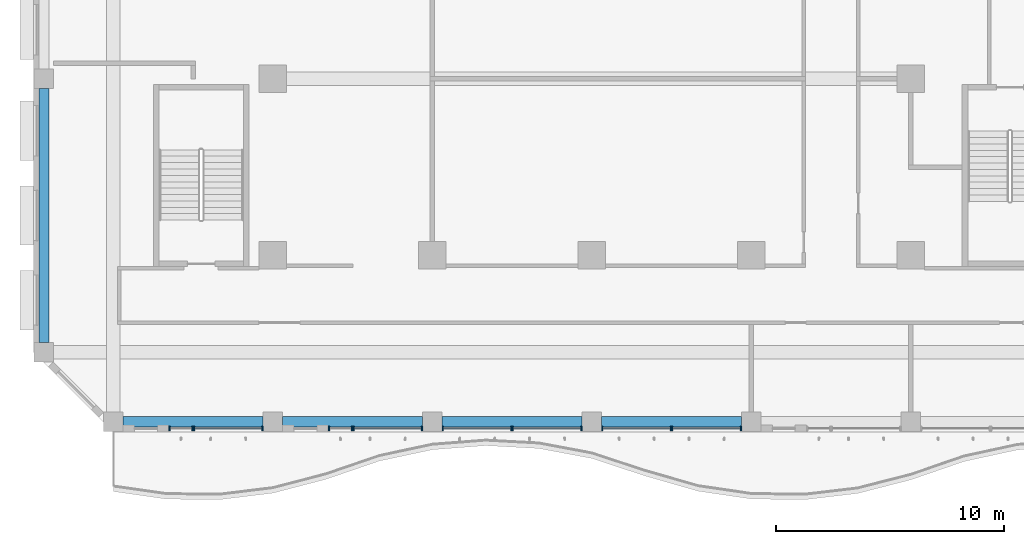
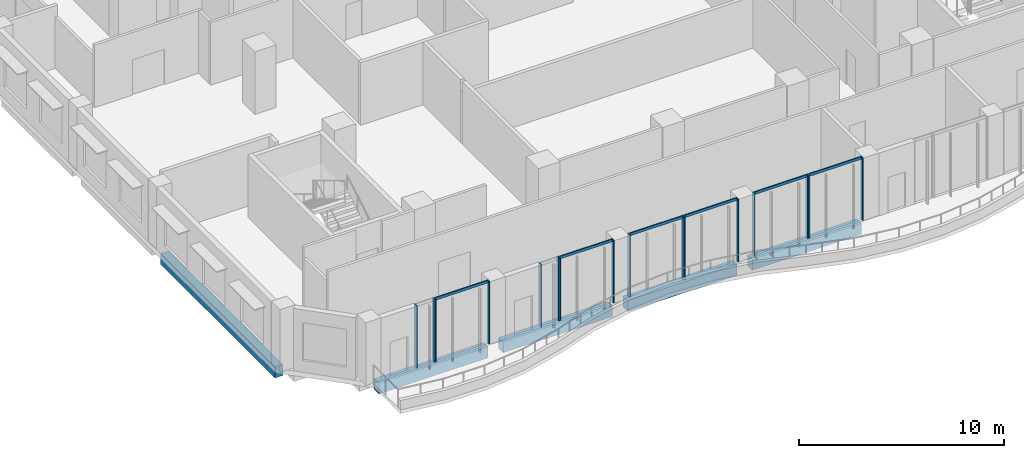
# One storey, part 2 of 26: 22 members, 5 beams, 8 elements without a shape of their own.
"""IFC4 building model written with IfcOpenShell, lengths in metres."""

from ifc_helpers import new_model, si_unit, direction, frame, origin, origin_2d, place, context, subcontext, project, spatial, rectangle, extrude, source, transform, mapped, material, material_profile, profile_set, type_object, element, aggregate, save


model = new_model("IFC4")

# Units and contexts
model_context = context("Model", 3, precision=1e-05, world=origin(), true_north=direction((0.0, 1.0)))
body_context = subcontext(model_context, "Body", "Model", "MODEL_VIEW")
ifc_project = project(units=[si_unit("LENGTHUNIT", "METRE"), si_unit("AREAUNIT", "SQUARE_METRE"), si_unit("VOLUMEUNIT", "CUBIC_METRE"), si_unit("PLANEANGLEUNIT", "RADIAN"), si_unit("MASSUNIT", "GRAM", prefix="KILO")], contexts=[model_context])

# Site, building, storey
site_placement = place(None, origin())
site = spatial("IfcSite", under=ifc_project, at=site_placement, CompositionType="ELEMENT")
building_placement = place(site_placement, origin())
building = spatial("IfcBuilding", under=site, at=building_placement, Name="Kilnfold Tower and Market Hall", CompositionType="ELEMENT")
storey_placement = place(building_placement, frame((0.0, 0.0, 108.60009765625)))
storey = spatial("IfcBuildingStorey", under=building, at=storey_placement, Name="L25", CompositionType="ELEMENT", Elevation=108.60009765625)

# Beams
ifc_material_1 = material(Name="Concrete C45", Category="concrete")
ifc_material_profile_1 = material_profile(ifc_material_1, rectangle(XDim=0.449951171875, YDim=0.64990234375, at=origin_2d()), Name="RC 450x650")
ifc_profile_set_1 = profile_set([ifc_material_profile_1], Name="Concrete C45")
beam_type = type_object("IfcBeamType", Name="EDGE BEAM 450X650 C45", PredefinedType="BEAM", material=ifc_profile_set_1)
shared_shape_1 = source(origin(), body_context, "Body", "SweptSolid", [
    extrude(rectangle(XDim=0.449951171875, YDim=0.64990234375, at=origin_2d()), origin(), (0.0, 0.0, 1.0), 6.14990234375),
])
for number, where, z_axis, x_axis, name in (
    (1, (-19.074951171875, -22.550048828125, -0.60498046875), (1.0, 0.0, 0.0), (0.0, 1.0, 0.0), "Beam EB650-B3.52"),
    (2, (-12.074951171875, -22.550048828125, -0.60498046875), (1.0, 0.0, 0.0), (0.0, 1.0, 0.0), "Beam EB650-B3.53"),
    (3, (-5.074951171875, -22.550048828125, -0.60498046875), (1.0, 0.0, 0.0), (0.0, 1.0, 0.0), "Beam EB650-B3.54"),
    (4, (1.925048828125, -22.550048828125, -0.60498046875), (1.0, 0.0, 0.0), (0.0, 1.0, 0.0), "Beam EB650-B3.55"),
):
    element("IfcBeam", number, at=place(storey_placement, frame(where, z_axis=z_axis, x_axis=x_axis)), inside=storey, type_object=beam_type, Name=name, PredefinedType="BEAM", context=body_context, shape_type="MappedRepresentation", body=[
        mapped(shared_shape_1, transform((0.0, 0.0, 0.0))),
    ])
shared_shape_2 = source(origin(), body_context, "Body", "SweptSolid", [
    extrude(rectangle(XDim=0.449951171875, YDim=0.64990234375, at=origin_2d()), origin(), (0.0, 0.0, 1.0), 11.14990234375),
])
beam_placement = place(storey_placement, frame((-22.550048828125, -19.074951171875, -0.60498046875), z_axis=(0.0, 1.0, 0.0), x_axis=(-1.0, 0.0, 0.0)))
element("IfcBeam", 5, at=beam_placement, inside=storey, type_object=beam_type, Name="Beam EB650-B3.74", PredefinedType="BEAM", context=body_context, shape_type="MappedRepresentation", body=[
    mapped(shared_shape_2, transform((0.0, 0.0, 0.0))),
])

# Curtain wall, members
ifc_material_2 = material(Name="Aluminium and double glazing", Category="aluminium")
curtain_wall_type = type_object("IfcCurtainWallType", Name="CW OF2 VALLEY GLAZING", PredefinedType="NOTDEFINED", material=ifc_material_2)
curtain_wall_1_placement = place(storey_placement, origin())
curtain_wall_1 = element("IfcCurtainWall", 6, at=curtain_wall_1_placement, inside=storey, type_object=curtain_wall_type, Name="Curtain wall CW2 L25 S", PredefinedType="NOTDEFINED")
ifc_material_3 = material(Name="Aluminium", Category="aluminium")
ifc_material_profile_2 = material_profile(ifc_material_3, rectangle(XDim=0.06005859375, YDim=0.199951171875, at=origin_2d()), Name="MULLION 60x200")
ifc_profile_set_2 = profile_set([ifc_material_profile_2], Name="Aluminium")
member_type_1 = type_object("IfcMemberType", Name="MULLION 60X200", PredefinedType="MULLION", material=ifc_profile_set_2)
shared_shape_3 = source(origin(), body_context, "Body", "SweptSolid", [
    extrude(rectangle(XDim=0.06005859375, YDim=0.199951171875, at=origin_2d()), origin(), (0.0, 0.0, 1.0), 3.719970703125),
])
member_1_placement = place(storey_placement, frame((-17.044921875, -22.85009765625, 0.0), z_axis=(0.0, 0.0, 1.0), x_axis=(1.0, 0.0, 0.0)))
member_1 = element("IfcMember", 7, at=member_1_placement, type_object=member_type_1, Name="CW2 mullion 1", PredefinedType="MULLION", context=body_context, shape_type="MappedRepresentation", body=[
    mapped(shared_shape_3, transform((0.0, 0.0, 0.0))),
])
member_2_placement = place(storey_placement, frame((-16.030029296875, -22.85009765625, 0.0), z_axis=(0.0, 0.0, 1.0), x_axis=(1.0, 0.0, 0.0)))
member_2 = element("IfcMember", 8, at=member_2_placement, type_object=member_type_1, Name="CW2 mullion 2", PredefinedType="MULLION", context=body_context, shape_type="MappedRepresentation", body=[
    mapped(shared_shape_3, transform((0.0, 0.0, 0.0))),
])
aggregate(curtain_wall_1, [member_1, member_2])

curtain_wall_2_placement = place(storey_placement, origin())
curtain_wall_2 = element("IfcCurtainWall", 9, at=curtain_wall_2_placement, inside=storey, type_object=curtain_wall_type, Name="Curtain wall CW2 L25 S", PredefinedType="NOTDEFINED")
member_3_placement = place(storey_placement, frame((-15.969970703125, -22.85009765625, 0.0), z_axis=(0.0, 0.0, 1.0), x_axis=(1.0, 0.0, 0.0)))
member_3 = element("IfcMember", 10, at=member_3_placement, type_object=member_type_1, Name="CW2 mullion 1", PredefinedType="MULLION", context=body_context, shape_type="MappedRepresentation", body=[
    mapped(shared_shape_3, transform((0.0, 0.0, 0.0))),
])
member_4_placement = place(storey_placement, frame((-12.955078125, -22.85009765625, 0.0), z_axis=(0.0, 0.0, 1.0), x_axis=(1.0, 0.0, 0.0)))
member_4 = element("IfcMember", 11, at=member_4_placement, type_object=member_type_1, Name="CW2 mullion 2", PredefinedType="MULLION", context=body_context, shape_type="MappedRepresentation", body=[
    mapped(shared_shape_3, transform((0.0, 0.0, 0.0))),
])

curtain_wall_3_placement = place(storey_placement, origin())
curtain_wall_3 = element("IfcCurtainWall", 12, at=curtain_wall_3_placement, inside=storey, type_object=curtain_wall_type, Name="Curtain wall CW2 L25 S", PredefinedType="NOTDEFINED")
member_5_placement = place(storey_placement, frame((-10.044921875, -22.85009765625, 0.0), z_axis=(0.0, 0.0, 1.0), x_axis=(1.0, 0.0, 0.0)))
member_5 = element("IfcMember", 13, at=member_5_placement, type_object=member_type_1, Name="CW2 mullion 1", PredefinedType="MULLION", context=body_context, shape_type="MappedRepresentation", body=[
    mapped(shared_shape_3, transform((0.0, 0.0, 0.0))),
])
member_6_placement = place(storey_placement, frame((-9.030029296875, -22.85009765625, 0.0), z_axis=(0.0, 0.0, 1.0), x_axis=(1.0, 0.0, 0.0)))
member_6 = element("IfcMember", 14, at=member_6_placement, type_object=member_type_1, Name="CW2 mullion 2", PredefinedType="MULLION", context=body_context, shape_type="MappedRepresentation", body=[
    mapped(shared_shape_3, transform((0.0, 0.0, 0.0))),
])
aggregate(curtain_wall_3, [member_5, member_6])

curtain_wall_4_placement = place(storey_placement, origin())
curtain_wall_4 = element("IfcCurtainWall", 15, at=curtain_wall_4_placement, inside=storey, type_object=curtain_wall_type, Name="Curtain wall CW2 L25 S", PredefinedType="NOTDEFINED")
member_7_placement = place(storey_placement, frame((-8.969970703125, -22.85009765625, 0.0), z_axis=(0.0, 0.0, 1.0), x_axis=(1.0, 0.0, 0.0)))
member_7 = element("IfcMember", 16, at=member_7_placement, type_object=member_type_1, Name="CW2 mullion 1", PredefinedType="MULLION", context=body_context, shape_type="MappedRepresentation", body=[
    mapped(shared_shape_3, transform((0.0, 0.0, 0.0))),
])
member_8_placement = place(storey_placement, frame((-5.955078125, -22.85009765625, 0.0), z_axis=(0.0, 0.0, 1.0), x_axis=(1.0, 0.0, 0.0)))
member_8 = element("IfcMember", 17, at=member_8_placement, type_object=member_type_1, Name="CW2 mullion 2", PredefinedType="MULLION", context=body_context, shape_type="MappedRepresentation", body=[
    mapped(shared_shape_3, transform((0.0, 0.0, 0.0))),
])

curtain_wall_5_placement = place(storey_placement, origin())
curtain_wall_5 = element("IfcCurtainWall", 18, at=curtain_wall_5_placement, inside=storey, type_object=curtain_wall_type, Name="Curtain wall CW2 L25 S", PredefinedType="NOTDEFINED")
member_9_placement = place(storey_placement, frame((-5.044921875, -22.85009765625, 0.0), z_axis=(0.0, 0.0, 1.0), x_axis=(1.0, 0.0, 0.0)))
member_9 = element("IfcMember", 19, at=member_9_placement, type_object=member_type_1, Name="CW2 mullion 1", PredefinedType="MULLION", context=body_context, shape_type="MappedRepresentation", body=[
    mapped(shared_shape_3, transform((0.0, 0.0, 0.0))),
])
member_10_placement = place(storey_placement, frame((-2.030029296875, -22.85009765625, 0.0), z_axis=(0.0, 0.0, 1.0), x_axis=(1.0, 0.0, 0.0)))
member_10 = element("IfcMember", 20, at=member_10_placement, type_object=member_type_1, Name="CW2 mullion 2", PredefinedType="MULLION", context=body_context, shape_type="MappedRepresentation", body=[
    mapped(shared_shape_3, transform((0.0, 0.0, 0.0))),
])

curtain_wall_6_placement = place(storey_placement, origin())
curtain_wall_6 = element("IfcCurtainWall", 21, at=curtain_wall_6_placement, inside=storey, type_object=curtain_wall_type, Name="Curtain wall CW2 L25 S", PredefinedType="NOTDEFINED")
member_11_placement = place(storey_placement, frame((-1.969970703125, -22.85009765625, 0.0), z_axis=(0.0, 0.0, 1.0), x_axis=(1.0, 0.0, 0.0)))
member_11 = element("IfcMember", 22, at=member_11_placement, type_object=member_type_1, Name="CW2 mullion 1", PredefinedType="MULLION", context=body_context, shape_type="MappedRepresentation", body=[
    mapped(shared_shape_3, transform((0.0, 0.0, 0.0))),
])
member_12_placement = place(storey_placement, frame((1.044921875, -22.85009765625, 0.0), z_axis=(0.0, 0.0, 1.0), x_axis=(1.0, 0.0, 0.0)))
member_12 = element("IfcMember", 23, at=member_12_placement, type_object=member_type_1, Name="CW2 mullion 2", PredefinedType="MULLION", context=body_context, shape_type="MappedRepresentation", body=[
    mapped(shared_shape_3, transform((0.0, 0.0, 0.0))),
])

curtain_wall_7_placement = place(storey_placement, origin())
curtain_wall_7 = element("IfcCurtainWall", 24, at=curtain_wall_7_placement, inside=storey, type_object=curtain_wall_type, Name="Curtain wall CW2 L25 S", PredefinedType="NOTDEFINED")
member_13_placement = place(storey_placement, frame((1.955078125, -22.85009765625, 0.0), z_axis=(0.0, 0.0, 1.0), x_axis=(1.0, 0.0, 0.0)))
member_13 = element("IfcMember", 25, at=member_13_placement, type_object=member_type_1, Name="CW2 mullion 1", PredefinedType="MULLION", context=body_context, shape_type="MappedRepresentation", body=[
    mapped(shared_shape_3, transform((0.0, 0.0, 0.0))),
])
member_14_placement = place(storey_placement, frame((4.969970703125, -22.85009765625, 0.0), z_axis=(0.0, 0.0, 1.0), x_axis=(1.0, 0.0, 0.0)))
member_14 = element("IfcMember", 26, at=member_14_placement, type_object=member_type_1, Name="CW2 mullion 2", PredefinedType="MULLION", context=body_context, shape_type="MappedRepresentation", body=[
    mapped(shared_shape_3, transform((0.0, 0.0, 0.0))),
])

curtain_wall_8_placement = place(storey_placement, origin())
curtain_wall_8 = element("IfcCurtainWall", 27, at=curtain_wall_8_placement, inside=storey, type_object=curtain_wall_type, Name="Curtain wall CW2 L25 S", PredefinedType="NOTDEFINED")
member_15_placement = place(storey_placement, frame((5.030029296875, -22.85009765625, 0.0), z_axis=(0.0, 0.0, 1.0), x_axis=(1.0, 0.0, 0.0)))
member_15 = element("IfcMember", 28, at=member_15_placement, type_object=member_type_1, Name="CW2 mullion 1", PredefinedType="MULLION", context=body_context, shape_type="MappedRepresentation", body=[
    mapped(shared_shape_3, transform((0.0, 0.0, 0.0))),
])
member_16_placement = place(storey_placement, frame((8.044921875, -22.85009765625, 0.0), z_axis=(0.0, 0.0, 1.0), x_axis=(1.0, 0.0, 0.0)))
member_16 = element("IfcMember", 29, at=member_16_placement, type_object=member_type_1, Name="CW2 mullion 2", PredefinedType="MULLION", context=body_context, shape_type="MappedRepresentation", body=[
    mapped(shared_shape_3, transform((0.0, 0.0, 0.0))),
])

# Member
ifc_material_4 = material(Name="Aluminium", Category="aluminium")
ifc_material_profile_3 = material_profile(ifc_material_4, rectangle(XDim=0.06005859375, YDim=0.159912109375, at=origin_2d()), Name="TRANSOM 60x160")
ifc_profile_set_3 = profile_set([ifc_material_profile_3], Name="Aluminium")
member_type_2 = type_object("IfcMemberType", Name="TRANSOM 60X160", PredefinedType="USERDEFINED", material=ifc_profile_set_3)
shared_shape_4 = source(origin(), body_context, "Body", "SweptSolid", [
    extrude(rectangle(XDim=0.06005859375, YDim=0.159912109375, at=origin_2d()), origin(), (0.0, 0.0, 1.0), 2.954833984375),
])
member_17_placement = place(storey_placement, frame((-15.93994140625, -22.85009765625, 3.68994140625), z_axis=(1.0, 0.0, 0.0), x_axis=(0.0, 1.0, 0.0)))
member_17 = element("IfcMember", 30, at=member_17_placement, type_object=member_type_2, Name="CW2 transom 1.2", ObjectType="TRANSOM", PredefinedType="USERDEFINED", context=body_context, shape_type="MappedRepresentation", body=[
    mapped(shared_shape_4, transform((0.0, 0.0, 0.0))),
])

aggregate(curtain_wall_2, [member_3, member_4, member_17])

member_18_placement = place(storey_placement, frame((-8.93994140625, -22.85009765625, 3.68994140625), z_axis=(1.0, 0.0, 0.0), x_axis=(0.0, 1.0, 0.0)))
member_18 = element("IfcMember", 31, at=member_18_placement, type_object=member_type_2, Name="CW2 transom 1.2", ObjectType="TRANSOM", PredefinedType="USERDEFINED", context=body_context, shape_type="MappedRepresentation", body=[
    mapped(shared_shape_4, transform((0.0, 0.0, 0.0))),
])

aggregate(curtain_wall_4, [member_7, member_8, member_18])

member_19_placement = place(storey_placement, frame((-5.014892578125, -22.85009765625, 3.68994140625), z_axis=(1.0, 0.0, 0.0), x_axis=(0.0, 1.0, 0.0)))
member_19 = element("IfcMember", 32, at=member_19_placement, type_object=member_type_2, Name="CW2 transom 1.2", ObjectType="TRANSOM", PredefinedType="USERDEFINED", context=body_context, shape_type="MappedRepresentation", body=[
    mapped(shared_shape_4, transform((0.0, 0.0, 0.0))),
])

aggregate(curtain_wall_5, [member_9, member_10, member_19])

member_20_placement = place(storey_placement, frame((-1.93994140625, -22.85009765625, 3.68994140625), z_axis=(1.0, 0.0, 0.0), x_axis=(0.0, 1.0, 0.0)))
member_20 = element("IfcMember", 33, at=member_20_placement, type_object=member_type_2, Name="CW2 transom 1.2", ObjectType="TRANSOM", PredefinedType="USERDEFINED", context=body_context, shape_type="MappedRepresentation", body=[
    mapped(shared_shape_4, transform((0.0, 0.0, 0.0))),
])

aggregate(curtain_wall_6, [member_11, member_12, member_20])

member_21_placement = place(storey_placement, frame((1.985107421875, -22.85009765625, 3.68994140625), z_axis=(1.0, 0.0, 0.0), x_axis=(0.0, 1.0, 0.0)))
member_21 = element("IfcMember", 34, at=member_21_placement, type_object=member_type_2, Name="CW2 transom 1.2", ObjectType="TRANSOM", PredefinedType="USERDEFINED", context=body_context, shape_type="MappedRepresentation", body=[
    mapped(shared_shape_4, transform((0.0, 0.0, 0.0))),
])

aggregate(curtain_wall_7, [member_13, member_14, member_21])

member_22_placement = place(storey_placement, frame((5.06005859375, -22.85009765625, 3.68994140625), z_axis=(1.0, 0.0, 0.0), x_axis=(0.0, 1.0, 0.0)))
member_22 = element("IfcMember", 35, at=member_22_placement, type_object=member_type_2, Name="CW2 transom 1.2", ObjectType="TRANSOM", PredefinedType="USERDEFINED", context=body_context, shape_type="MappedRepresentation", body=[
    mapped(shared_shape_4, transform((0.0, 0.0, 0.0))),
])

aggregate(curtain_wall_8, [member_15, member_16, member_22])

save(model, "model.ifc")
